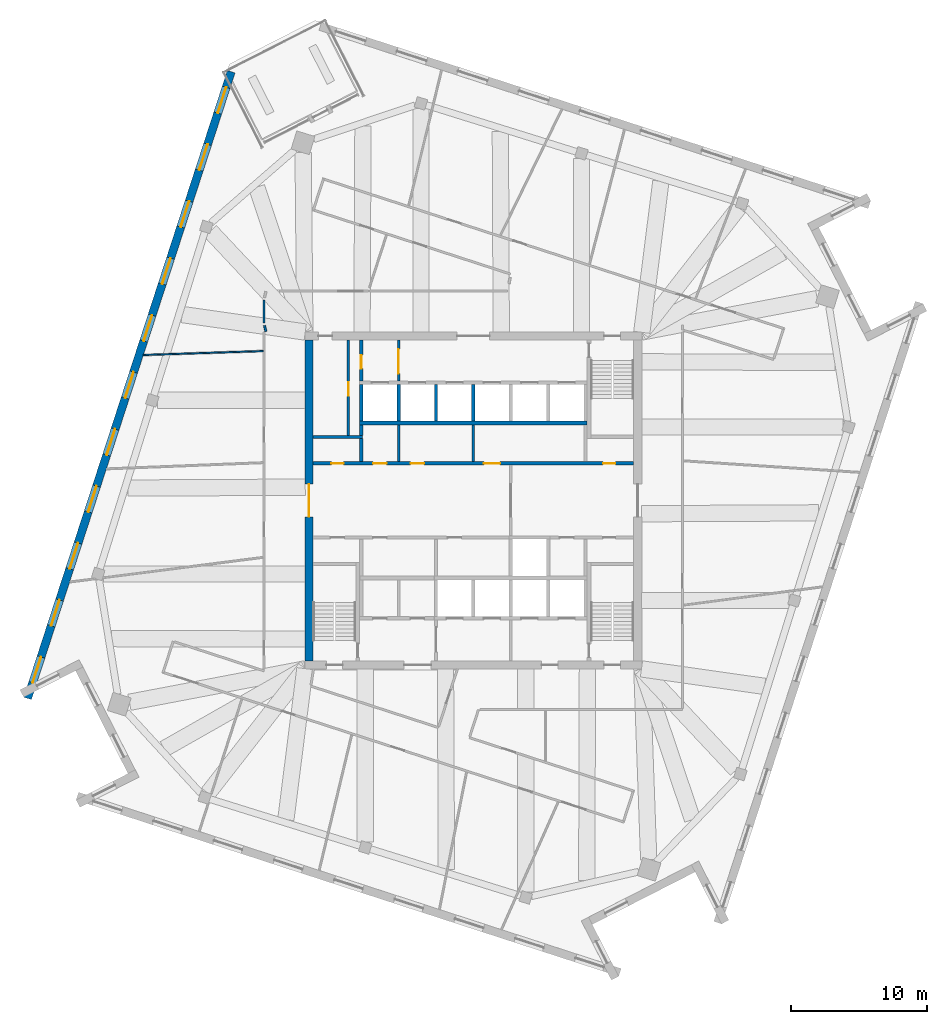
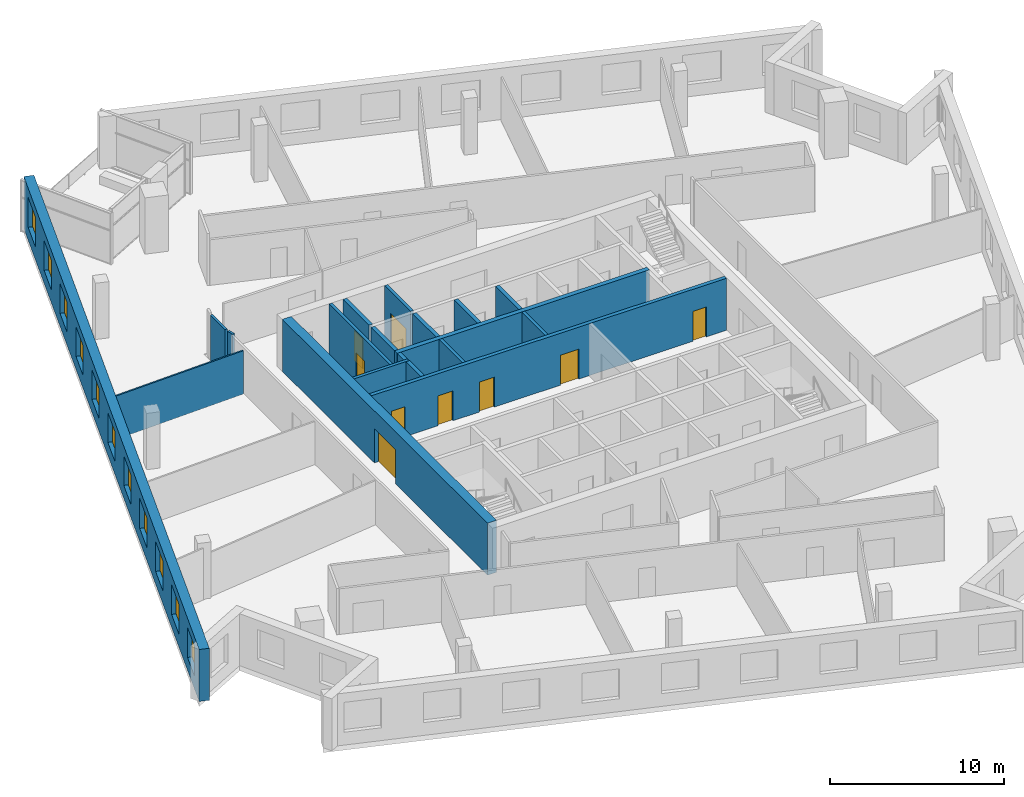
# One storey, part 9 of 13: 19 walls, 11 windows, 9 doors, 20 openings.
"""IFC4 building model written with IfcOpenShell, lengths in metres."""

from ifc_helpers import new_model, si_unit, direction, frame, frame_2d, origin, place, context, subcontext, project, spatial, rectangle, extrude, material, layer, layer_set, type_object, element, fill, save


model = new_model("IFC4")

# Units and contexts
model_context = context("Model", 3, precision=1e-05, world=origin(), true_north=direction((0.0, 1.0)))
body_context = subcontext(model_context, "Body", "Model", "MODEL_VIEW")
ifc_project = project(units=[si_unit("LENGTHUNIT", "METRE"), si_unit("AREAUNIT", "SQUARE_METRE"), si_unit("VOLUMEUNIT", "CUBIC_METRE"), si_unit("PLANEANGLEUNIT", "RADIAN"), si_unit("MASSUNIT", "GRAM", prefix="KILO")], contexts=[model_context])

# Site, building, storey
site_placement = place(None, origin())
site = spatial("IfcSite", under=ifc_project, at=site_placement, CompositionType="ELEMENT")
building_placement = place(site_placement, origin())
building = spatial("IfcBuilding", under=site, at=building_placement, Name="Dilmun Exchange Tower", CompositionType="ELEMENT")
storey_placement = place(building_placement, frame((0.0, 0.0, 316.5)))
storey = spatial("IfcBuildingStorey", under=building, at=storey_placement, Name="L75", CompositionType="ELEMENT", Elevation=316.5)

# Walls
ifc_material_1 = material(Name="Concrete C40/50", Category="concrete")
ifc_layer_1 = layer(ifc_material_1, 0.199951171875)
ifc_layer_set_1 = layer_set([ifc_layer_1], Name="Concrete C40/50")
wall_type_1 = type_object("IfcWallType", Name="Core partition wall 200", PredefinedType="PARTITIONING", material=ifc_layer_set_1)
for number, where, z_axis, x_axis, name in (
    (1, (-5.5, 2.85498046875, 0.0), (0.0, 0.0, 1.0), (0.0, 1.0, 0.0), "L75 core partition wall 15"),
    (2, (0.0, 2.85498046875, 0.0), (0.0, 0.0, 1.0), (0.0, 1.0, 0.0), "L75 core partition wall 16"),
):
    element("IfcWall", number, at=place(storey_placement, frame(where, z_axis=z_axis, x_axis=x_axis)), inside=storey, type_object=wall_type_1, Name=name, PredefinedType="PARTITIONING", context=body_context, shape_type="SweptSolid", body=[
        extrude(rectangle(XDim=2.68994140625, YDim=0.199951171875, at=frame_2d((1.344970703125, 0.0))), origin(), (0.0, 0.0, 1.0), 3.64990234375),
    ])
wall_1_placement = place(storey_placement, frame((-11.794921875, 4.675048828125, 0.0), z_axis=(0.0, 0.0, 1.0), x_axis=(1.0, 0.0, 0.0)))
element("IfcWall", 3, at=wall_1_placement, inside=storey, type_object=wall_type_1, Name="L75 core partition wall 18", PredefinedType="PARTITIONING", context=body_context, shape_type="SweptSolid", body=[
    extrude(rectangle(XDim=3.64501953125, YDim=0.199951171875, at=frame_2d((1.822509765625, 0.0))), origin(), (0.0, 0.0, 1.0), 3.64990234375),
])

# Wall, opening, door
wall_2_placement = place(storey_placement, frame((-9.199951171875, 4.780029296875, 0.0), z_axis=(0.0, 0.0, 1.0), x_axis=(0.0, 1.0, 0.0)))
wall_2 = element("IfcWall", 4, at=wall_2_placement, inside=storey, type_object=wall_type_1, Name="L75 core partition wall 19", PredefinedType="PARTITIONING", context=body_context, shape_type="SweptSolid", body=[
    extrude(rectangle(XDim=7.014892578125, YDim=0.199951171875, at=frame_2d((3.50732421875, 0.0))), origin(), (0.0, 0.0, 1.0), 3.64990234375),
])
opening_1_placement = place(wall_2_placement, frame((2.919921875, 0.0, 0.0)))
opening_1 = element("IfcOpeningElement", 5, at=opening_1_placement, cuts=wall_2, Name="Opening CD4", PredefinedType="OPENING", context=body_context, shape_type="SweptSolid", body=[
    extrude(rectangle(XDim=1.0, YDim=2.10009765625, at=frame_2d((0.5, 1.050048828125))), frame((0.0, 0.10986328125, 0.0), z_axis=(0.0, -1.0, 0.0), x_axis=(1.0, 0.0, 0.0)), (0.0, 0.0, 1.0), 0.219970703125),
])
ifc_material_2 = material(Name="Fire-rated steel door set", Category="steel")
door_type_1 = type_object("IfcDoorType", Name="Core room door 1000x2100", OperationType="SINGLE_SWING_LEFT", PredefinedType="DOOR", material=ifc_material_2)
door_1_placement = place(opening_1_placement, origin())
door_1 = element("IfcDoor", 6, at=door_1_placement, inside=storey, type_object=door_type_1, Name="L75 door Fire safety store", OperationType="SINGLE_SWING_RIGHT", OverallHeight=2.10009765625, OverallWidth=1.0, PredefinedType="DOOR", context=body_context, shape_type="SweptSolid", body=[
    extrude(rectangle(XDim=1.0, YDim=2.10009765625, at=frame_2d((0.5, 1.050048828125))), frame((0.0, 0.02490234375, 0.0), z_axis=(0.0, -1.0, 0.0), x_axis=(1.0, 0.0, 0.0)), (0.0, 0.0, 1.0), 0.050048828125),
])
fill(opening_1, door_1)

wall_3_placement = place(storey_placement, frame((-5.5, 8.804931640625, 0.0), z_axis=(0.0, 0.0, 1.0), x_axis=(0.0, 1.0, 0.0)))
wall_3 = element("IfcWall", 7, at=wall_3_placement, inside=storey, type_object=wall_type_1, Name="L75 core partition wall 22", PredefinedType="PARTITIONING", context=body_context, shape_type="SweptSolid", body=[
    extrude(rectangle(XDim=2.989990234375, YDim=0.199951171875, at=frame_2d((1.4951171875, 0.0))), origin(), (0.0, 0.0, 1.0), 3.64990234375),
])
opening_2_placement = place(wall_3_placement, frame((0.532470703125, 0.0, 0.0)))
opening_2 = element("IfcOpeningElement", 8, at=opening_2_placement, cuts=wall_3, Name="Opening CD5", PredefinedType="OPENING", context=body_context, shape_type="SweptSolid", body=[
    extrude(rectangle(XDim=1.800048828125, YDim=2.10009765625, at=frame_2d((0.89990234375, 1.050048828125))), frame((0.0, 0.10986328125, 0.0), z_axis=(0.0, -1.0, 0.0), x_axis=(1.0, 0.0, 0.0)), (0.0, 0.0, 1.0), 0.219970703125),
])
door_type_2 = type_object("IfcDoorType", Name="Stair exit door 1800x2100", OperationType="SINGLE_SWING_LEFT", PredefinedType="DOOR", material=ifc_material_2)
door_2_placement = place(opening_2_placement, origin())
door_2 = element("IfcDoor", 9, at=door_2_placement, inside=storey, type_object=door_type_2, Name="L75 door Lift lobby east", OperationType="SINGLE_SWING_LEFT", OverallHeight=2.10009765625, OverallWidth=1.800048828125, PredefinedType="DOOR", context=body_context, shape_type="SweptSolid", body=[
    extrude(rectangle(XDim=1.800048828125, YDim=2.10009765625, at=frame_2d((0.89990234375, 1.050048828125))), frame((0.0, 0.02490234375, 0.0), z_axis=(0.0, -1.0, 0.0), x_axis=(1.0, 0.0, 0.0)), (0.0, 0.0, 1.0), 0.050048828125),
])
fill(opening_2, door_2)

# Wall, openings, doors
ifc_layer_2 = layer(ifc_material_1, 0.25)
ifc_layer_set_2 = layer_set([ifc_layer_2], Name="Concrete C40/50")
wall_type_2 = type_object("IfcWallType", Name="Core partition wall 250", PredefinedType="PARTITIONING", material=ifc_layer_set_2)
wall_4_placement = place(storey_placement, frame((-11.794921875, 2.72509765625, 0.0), z_axis=(0.0, 0.0, 1.0), x_axis=(1.0, 0.0, 0.0)))
wall_4 = element("IfcWall", 10, at=wall_4_placement, inside=storey, type_object=wall_type_2, Name="L75 core partition wall 13", PredefinedType="PARTITIONING", context=body_context, shape_type="SweptSolid", body=[
    extrude(rectangle(XDim=23.58984375, YDim=0.25, at=frame_2d((11.794921875, 0.0))), origin(), (0.0, 0.0, 1.0), 3.64990234375),
])
opening_3_placement = place(wall_4_placement, frame((21.344970703125, 0.0, 0.0)))
opening_3 = element("IfcOpeningElement", 11, at=opening_3_placement, cuts=wall_4, Name="Opening CD6", PredefinedType="OPENING", context=body_context, shape_type="SweptSolid", body=[
    extrude(rectangle(XDim=0.89990234375, YDim=2.10009765625, at=frame_2d((0.449951171875, 1.050048828125))), frame((0.0, 0.135009765625, 0.0), z_axis=(0.0, -1.0, 0.0), x_axis=(1.0, 0.0, 0.0)), (0.0, 0.0, 1.0), 0.27001953125),
])
opening_4_placement = place(wall_4_placement, frame((1.344970703125, 0.0, 0.0)))
opening_4 = element("IfcOpeningElement", 12, at=opening_4_placement, cuts=wall_4, Name="Opening CD6", PredefinedType="OPENING", context=body_context, shape_type="SweptSolid", body=[
    extrude(rectangle(XDim=0.89990234375, YDim=2.10009765625, at=frame_2d((0.449951171875, 1.050048828125))), frame((0.0, 0.135009765625, 0.0), z_axis=(0.0, -1.0, 0.0), x_axis=(1.0, 0.0, 0.0)), (0.0, 0.0, 1.0), 0.27001953125),
])
opening_5_placement = place(wall_4_placement, frame((4.419921875, 0.0, 0.0)))
opening_5 = element("IfcOpeningElement", 13, at=opening_5_placement, cuts=wall_4, Name="Opening CD4", PredefinedType="OPENING", context=body_context, shape_type="SweptSolid", body=[
    extrude(rectangle(XDim=1.0, YDim=2.10009765625, at=frame_2d((0.5, 1.050048828125))), frame((0.0, 0.135009765625, 0.0), z_axis=(0.0, -1.0, 0.0), x_axis=(1.0, 0.0, 0.0)), (0.0, 0.0, 1.0), 0.27001953125),
])
opening_6_placement = place(wall_4_placement, frame((7.169921875, 0.0, 0.0)))
opening_6 = element("IfcOpeningElement", 14, at=opening_6_placement, cuts=wall_4, Name="Opening CD4", PredefinedType="OPENING", context=body_context, shape_type="SweptSolid", body=[
    extrude(rectangle(XDim=1.0, YDim=2.10009765625, at=frame_2d((0.5, 1.050048828125))), frame((0.0, 0.135009765625, 0.0), z_axis=(0.0, -1.0, 0.0), x_axis=(1.0, 0.0, 0.0)), (0.0, 0.0, 1.0), 0.27001953125),
])
opening_7_placement = place(wall_4_placement, frame((12.570068359375, 0.0, 0.0)))
opening_7 = element("IfcOpeningElement", 15, at=opening_7_placement, cuts=wall_4, Name="Opening CD3", PredefinedType="OPENING", context=body_context, shape_type="SweptSolid", body=[
    extrude(rectangle(XDim=1.199951171875, YDim=2.10009765625, at=frame_2d((0.60009765625, 1.050048828125))), frame((0.0, 0.135009765625, 0.0), z_axis=(0.0, -1.0, 0.0), x_axis=(1.0, 0.0, 0.0)), (0.0, 0.0, 1.0), 0.27001953125),
])
door_3_placement = place(opening_5_placement, origin())
door_3 = element("IfcDoor", 16, at=door_3_placement, inside=storey, type_object=door_type_1, Name="L75 door Electrical room", OperationType="SINGLE_SWING_RIGHT", OverallHeight=2.10009765625, OverallWidth=1.0, PredefinedType="DOOR", context=body_context, shape_type="SweptSolid", body=[
    extrude(rectangle(XDim=1.0, YDim=2.10009765625, at=frame_2d((0.5, 1.050048828125))), frame((0.0, 0.02490234375, 0.0), z_axis=(0.0, -1.0, 0.0), x_axis=(1.0, 0.0, 0.0)), (0.0, 0.0, 1.0), 0.050048828125),
])
fill(opening_5, door_3)
door_4_placement = place(opening_6_placement, origin())
door_4 = element("IfcDoor", 17, at=door_4_placement, inside=storey, type_object=door_type_1, Name="L75 door Switch room", OperationType="SINGLE_SWING_RIGHT", OverallHeight=2.10009765625, OverallWidth=1.0, PredefinedType="DOOR", context=body_context, shape_type="SweptSolid", body=[
    extrude(rectangle(XDim=1.0, YDim=2.10009765625, at=frame_2d((0.5, 1.050048828125))), frame((0.0, 0.02490234375, 0.0), z_axis=(0.0, -1.0, 0.0), x_axis=(1.0, 0.0, 0.0)), (0.0, 0.0, 1.0), 0.050048828125),
])
fill(opening_6, door_4)
door_type_3 = type_object("IfcDoorType", Name="Core room door 900x2100", OperationType="SINGLE_SWING_LEFT", PredefinedType="DOOR", material=ifc_material_2)
door_5_placement = place(opening_3_placement, origin())
door_5 = element("IfcDoor", 18, at=door_5_placement, inside=storey, type_object=door_type_3, Name="L75 door Electrical riser", OperationType="SINGLE_SWING_RIGHT", OverallHeight=2.10009765625, OverallWidth=0.89990234375, PredefinedType="DOOR", context=body_context, shape_type="SweptSolid", body=[
    extrude(rectangle(XDim=0.89990234375, YDim=2.10009765625, at=frame_2d((0.449951171875, 1.050048828125))), frame((0.0, 0.02490234375, 0.0), z_axis=(0.0, -1.0, 0.0), x_axis=(1.0, 0.0, 0.0)), (0.0, 0.0, 1.0), 0.050048828125),
])
fill(opening_3, door_5)
door_6_placement = place(opening_4_placement, origin())
door_6 = element("IfcDoor", 19, at=door_6_placement, inside=storey, type_object=door_type_3, Name="L75 door Plumbing riser", OperationType="SINGLE_SWING_RIGHT", OverallHeight=2.10009765625, OverallWidth=0.89990234375, PredefinedType="DOOR", context=body_context, shape_type="SweptSolid", body=[
    extrude(rectangle(XDim=0.89990234375, YDim=2.10009765625, at=frame_2d((0.449951171875, 1.050048828125))), frame((0.0, 0.02490234375, 0.0), z_axis=(0.0, -1.0, 0.0), x_axis=(1.0, 0.0, 0.0)), (0.0, 0.0, 1.0), 0.050048828125),
])
fill(opening_4, door_6)
door_type_4 = type_object("IfcDoorType", Name="Stair exit door 1200x2100", OperationType="SINGLE_SWING_LEFT", PredefinedType="DOOR", material=ifc_material_2)
door_7_placement = place(opening_7_placement, origin())
door_7 = element("IfcDoor", 20, at=door_7_placement, inside=storey, type_object=door_type_4, Name="L75 door Quiet working room", OperationType="SINGLE_SWING_LEFT", OverallHeight=2.10009765625, OverallWidth=1.199951171875, PredefinedType="DOOR", context=body_context, shape_type="SweptSolid", body=[
    extrude(rectangle(XDim=1.199951171875, YDim=2.10009765625, at=frame_2d((0.60009765625, 1.050048828125))), frame((0.0, 0.02490234375, 0.0), z_axis=(0.0, -1.0, 0.0), x_axis=(1.0, 0.0, 0.0)), (0.0, 0.0, 1.0), 0.050048828125),
])
fill(opening_7, door_7)

# Walls
wall_5_placement = place(storey_placement, frame((-8.25, 2.85498046875, 0.0), z_axis=(0.0, 0.0, 1.0), x_axis=(0.0, 1.0, 0.0)))
element("IfcWall", 21, at=wall_5_placement, inside=storey, type_object=wall_type_2, Name="L75 core partition wall 14", PredefinedType="PARTITIONING", context=body_context, shape_type="SweptSolid", body=[
    extrude(rectangle(XDim=1.715087890625, YDim=0.25, at=frame_2d((0.857421875, 0.0))), origin(), (0.0, 0.0, 1.0), 3.64990234375),
])
wall_6_placement = place(storey_placement, frame((-8.25, 4.780029296875, 0.0), z_axis=(0.0, 0.0, 1.0), x_axis=(0.0, 1.0, 0.0)))
element("IfcWall", 22, at=wall_6_placement, inside=storey, type_object=wall_type_2, Name="L75 core partition wall 20", PredefinedType="PARTITIONING", context=body_context, shape_type="SweptSolid", body=[
    extrude(rectangle(XDim=0.764892578125, YDim=0.25, at=frame_2d((0.38232421875, 0.0))), origin(), (0.0, 0.0, 1.0), 3.64990234375),
])

# Wall, opening, door
wall_7_placement = place(storey_placement, frame((-8.25, 8.804931640625, 0.0), z_axis=(0.0, 0.0, 1.0), x_axis=(0.0, 1.0, 0.0)))
wall_7 = element("IfcWall", 23, at=wall_7_placement, inside=storey, type_object=wall_type_2, Name="L75 core partition wall 21", PredefinedType="PARTITIONING", context=body_context, shape_type="SweptSolid", body=[
    extrude(rectangle(XDim=2.989990234375, YDim=0.25, at=frame_2d((1.4951171875, 0.0))), origin(), (0.0, 0.0, 1.0), 3.64990234375),
])
opening_8_placement = place(wall_7_placement, frame((0.89501953125, 0.0, 0.0)))
opening_8 = element("IfcOpeningElement", 24, at=opening_8_placement, cuts=wall_7, Name="Opening CD4", PredefinedType="OPENING", context=body_context, shape_type="SweptSolid", body=[
    extrude(rectangle(XDim=1.0, YDim=2.10009765625, at=frame_2d((0.5, 1.050048828125))), frame((0.0, 0.135009765625, 0.0), z_axis=(0.0, -1.0, 0.0), x_axis=(1.0, 0.0, 0.0)), (0.0, 0.0, 1.0), 0.27001953125),
])
door_8_placement = place(opening_8_placement, origin())
door_8 = element("IfcDoor", 25, at=door_8_placement, inside=storey, type_object=door_type_1, Name="L75 door Tenant services room", OperationType="SINGLE_SWING_RIGHT", OverallHeight=2.10009765625, OverallWidth=1.0, PredefinedType="DOOR", context=body_context, shape_type="SweptSolid", body=[
    extrude(rectangle(XDim=1.0, YDim=2.10009765625, at=frame_2d((0.5, 1.050048828125))), frame((0.0, 0.02490234375, 0.0), z_axis=(0.0, -1.0, 0.0), x_axis=(1.0, 0.0, 0.0)), (0.0, 0.0, 1.0), 0.050048828125),
])
fill(opening_8, door_8)

ifc_material_3 = material(Name="Concrete C50/60", Category="concrete")
ifc_layer_3 = layer(ifc_material_3, 0.60009765625)
ifc_layer_set_3 = layer_set([ifc_layer_3], Name="Concrete C50/60")
wall_type_3 = type_object("IfcWallType", Name="Core shear wall 600 Concrete C50/60", PredefinedType="SHEAR", material=ifc_layer_set_3)
wall_8_placement = place(storey_placement, frame((-12.10009765625, -11.800048828125, 0.0), z_axis=(0.0, 0.0, 1.0), x_axis=(0.0, 1.0, 0.0)))
wall_8 = element("IfcWall", 26, at=wall_8_placement, inside=storey, type_object=wall_type_3, Name="L75 core shear wall W", PredefinedType="SHEAR", context=body_context, shape_type="SweptSolid", body=[
    extrude(rectangle(XDim=23.60009765625, YDim=0.60009765625, at=frame_2d((11.800048828125, 0.0))), origin(), (0.0, 0.0, 1.0), 3.64990234375),
])
opening_9_placement = place(wall_8_placement, frame((10.60009765625, 0.0, 0.0)))
opening_9 = element("IfcOpeningElement", 27, at=opening_9_placement, cuts=wall_8, Name="Opening CD1", PredefinedType="OPENING", context=body_context, shape_type="SweptSolid", body=[
    extrude(rectangle(XDim=2.39990234375, YDim=2.39990234375, at=frame_2d((1.199951171875, 1.199951171875))), frame((0.0, 0.31005859375, 0.0), z_axis=(0.0, -1.0, 0.0), x_axis=(1.0, 0.0, 0.0)), (0.0, 0.0, 1.0), 0.6201171875),
])
door_type_5 = type_object("IfcDoorType", Name="Core lobby door 2400x2400", OperationType="DOUBLE_DOOR_DOUBLE_SWING", PredefinedType="DOOR", material=ifc_material_2)
door_9_placement = place(opening_9_placement, origin())
door_9 = element("IfcDoor", 28, at=door_9_placement, inside=storey, type_object=door_type_5, Name="L75 door Central lift lobby", OperationType="SINGLE_SWING_LEFT", OverallHeight=2.39990234375, OverallWidth=2.39990234375, PredefinedType="DOOR", context=body_context, shape_type="SweptSolid", body=[
    extrude(rectangle(XDim=2.39990234375, YDim=2.39990234375, at=frame_2d((1.199951171875, 1.199951171875))), frame((0.0, 0.02490234375, 0.0), z_axis=(0.0, -1.0, 0.0), x_axis=(1.0, 0.0, 0.0)), (0.0, 0.0, 1.0), 0.050048828125),
])
fill(opening_9, door_9)

# Walls
ifc_material_4 = material(Name="Corridor wall 150")
ifc_layer_4 = layer(ifc_material_4, 0.14990234375)
ifc_layer_set_4 = layer_set([ifc_layer_4], Name="Corridor wall 150")
wall_type_4 = type_object("IfcWallType", Name="Corridor wall 150", PredefinedType="PARTITIONING", material=ifc_layer_set_4)
wall_9_placement = place(storey_placement, frame((-15.39990234375, 13.050048828125, 0.0), z_axis=(0.0, 0.0, 1.0), x_axis=(0.0, 1.0, 0.0)))
element("IfcWall", 29, at=wall_9_placement, inside=storey, type_object=wall_type_4, Name="Corridor wall", PredefinedType="PARTITIONING", context=body_context, shape_type="SweptSolid", body=[
    extrude(rectangle(XDim=1.699951171875, YDim=0.14990234375, at=frame_2d((0.85009765625, 0.0))), origin(), (0.0, 0.0, 1.0), 3.25),
])
wall_10_placement = place(storey_placement, frame((-15.263427734375, 12.440185546875, 0.0), z_axis=(0.0, 0.0, 1.0), x_axis=(-0.249928977064, 0.968264171817, 0.0)))
element("IfcWall", 30, at=wall_10_placement, inside=storey, type_object=wall_type_4, Name="Corridor wall", PredefinedType="PARTITIONING", context=body_context, shape_type="SweptSolid", body=[
    extrude(rectangle(XDim=0.434814453125, YDim=0.14990234375, at=frame_2d((0.21728515625, 0.0))), origin(), (0.0, 0.0, 1.0), 3.25),
])
ifc_layer_5 = layer(ifc_material_1, 0.300048828125)
ifc_layer_set_5 = layer_set([ifc_layer_5], Name="Concrete C40/50")
wall_type_5 = type_object("IfcWallType", Name="Lift shaft shared wall 300", PredefinedType="SOLIDWALL", material=ifc_layer_set_5)
wall_11_placement = place(storey_placement, frame((-8.375, 5.699951171875, 0.0), z_axis=(0.0, 0.0, 1.0), x_axis=(1.0, 0.0, 0.0)))
element("IfcWall", 31, at=wall_11_placement, inside=storey, type_object=wall_type_5, Name="L75 lift shaft rear wall N", PredefinedType="SOLIDWALL", context=body_context, shape_type="SweptSolid", body=[
    extrude(rectangle(XDim=16.75, YDim=0.300048828125, at=frame_2d((8.375, 0.0))), origin(), (0.0, 0.0, 1.0), 3.64990234375),
])
ifc_layer_6 = layer(ifc_material_1, 0.25)
ifc_layer_set_6 = layer_set([ifc_layer_6], Name="Concrete C40/50")
wall_type_6 = type_object("IfcWallType", Name="Lift shaft wall 250", PredefinedType="SOLIDWALL", material=ifc_layer_set_6)
for number, where, z_axis, x_axis, name in (
    (32, (-8.25, 5.85009765625, 0.0), (0.0, 0.0, 1.0), (0.0, 1.0, 0.0), "L75 lift shaft divider N20"),
    (33, (-5.5, 5.85009765625, 0.0), (0.0, 0.0, 1.0), (0.0, 1.0, 0.0), "L75 lift shaft divider N21"),
    (34, (-2.75, 5.85009765625, 0.0), (0.0, 0.0, 1.0), (0.0, 1.0, 0.0), "L75 lift shaft divider N22"),
    (35, (0.0, 5.85009765625, 0.0), (0.0, 0.0, 1.0), (0.0, 1.0, 0.0), "L75 lift shaft divider N23"),
):
    element("IfcWall", number, at=place(storey_placement, frame(where, z_axis=z_axis, x_axis=x_axis)), inside=storey, type_object=wall_type_6, Name=name, PredefinedType="SOLIDWALL", context=body_context, shape_type="SweptSolid", body=[
        extrude(rectangle(XDim=2.699951171875, YDim=0.25, at=frame_2d((1.35009765625, 0.0))), origin(), (0.0, 0.0, 1.0), 3.64990234375),
    ])
ifc_material_5 = material(Name="Partition 100")
ifc_layer_7 = layer(ifc_material_5, 0.10009765625)
ifc_layer_set_7 = layer_set([ifc_layer_7], Name="Partition 100")
wall_type_7 = type_object("IfcWallType", Name="Partition 100", PredefinedType="PARTITIONING", material=ifc_layer_set_7)
wall_12_placement = place(storey_placement, frame((-24.27880859375, 10.703125, 0.0), z_axis=(0.0, 0.0, 1.0), x_axis=(0.999452969423, 0.033072071465, 0.0)))
element("IfcWall", 36, at=wall_12_placement, inside=storey, type_object=wall_type_7, Name="Partition", PredefinedType="PARTITIONING", context=body_context, shape_type="SweptSolid", body=[
    extrude(rectangle(XDim=8.806884765625, YDim=0.10009765625, at=frame_2d((4.4033203125, 0.0))), origin(), (0.0, 0.0, 1.0), 3.050048828125),
])

# Wall, openings, windows
ifc_material_6 = material(Name="Precast concrete C50/60", Category="concrete")
ifc_layer_8 = layer(ifc_material_6, 0.60009765625)
ifc_layer_set_8 = layer_set([ifc_layer_8], Name="Precast concrete C50/60")
wall_type_8 = type_object("IfcWallType", Name="Precast stone-clad wall 600", PredefinedType="STANDARD", material=ifc_layer_set_8)
wall_13_placement = place(storey_placement, frame((-17.822265625, 31.551513671875, 0.0), z_axis=(0.0, 0.0, 1.0), x_axis=(-0.309018218247, -0.951056118634, 0.0)))
wall_13 = element("IfcWall", 37, at=wall_13_placement, inside=storey, type_object=wall_type_8, Name="Facade wall L75-03", PredefinedType="STANDARD", context=body_context, shape_type="SweptSolid", body=[
    extrude(rectangle(XDim=48.489501953125, YDim=0.60009765625, at=frame_2d((24.24462890625, 0.0))), origin(), (0.0, 0.0, 1.0), 3.64990234375),
])
opening_10_placement = place(wall_13_placement, frame((1.2041015625, 0.0, 0.89990234375)))
opening_10 = element("IfcOpeningElement", 38, at=opening_10_placement, cuts=wall_13, Name="Opening W200-210", PredefinedType="OPENING", context=body_context, shape_type="SweptSolid", body=[
    extrude(rectangle(XDim=2.0, YDim=2.10009765625, at=frame_2d((1.0, 1.050048828125))), frame((0.0, 0.31005859375, 0.0), z_axis=(0.0, -1.0, 0.0), x_axis=(1.0, 0.0, 0.0)), (0.0, 0.0, 1.0), 0.6201171875),
])
opening_11_placement = place(wall_13_placement, frame((5.6123046875, 0.0, 0.89990234375)))
opening_11 = element("IfcOpeningElement", 39, at=opening_11_placement, cuts=wall_13, Name="Opening W200-210", PredefinedType="OPENING", context=body_context, shape_type="SweptSolid", body=[
    extrude(rectangle(XDim=2.0, YDim=2.10009765625, at=frame_2d((1.0, 1.050048828125))), frame((0.0, 0.31005859375, 0.0), z_axis=(0.0, -1.0, 0.0), x_axis=(1.0, 0.0, 0.0)), (0.0, 0.0, 1.0), 0.6201171875),
])
opening_12_placement = place(wall_13_placement, frame((10.0205078125, 0.0, 0.89990234375)))
opening_12 = element("IfcOpeningElement", 40, at=opening_12_placement, cuts=wall_13, Name="Opening W200-210", PredefinedType="OPENING", context=body_context, shape_type="SweptSolid", body=[
    extrude(rectangle(XDim=2.0, YDim=2.10009765625, at=frame_2d((1.0, 1.050048828125))), frame((0.0, 0.31005859375, 0.0), z_axis=(0.0, -1.0, 0.0), x_axis=(1.0, 0.0, 0.0)), (0.0, 0.0, 1.0), 0.6201171875),
])
opening_13_placement = place(wall_13_placement, frame((14.428466796875, 0.0, 0.89990234375)))
opening_13 = element("IfcOpeningElement", 41, at=opening_13_placement, cuts=wall_13, Name="Opening W200-210", PredefinedType="OPENING", context=body_context, shape_type="SweptSolid", body=[
    extrude(rectangle(XDim=2.0, YDim=2.10009765625, at=frame_2d((1.0, 1.050048828125))), frame((0.0, 0.31005859375, 0.0), z_axis=(0.0, -1.0, 0.0), x_axis=(1.0, 0.0, 0.0)), (0.0, 0.0, 1.0), 0.6201171875),
])
opening_14_placement = place(wall_13_placement, frame((18.836669921875, 0.0, 0.89990234375)))
opening_14 = element("IfcOpeningElement", 42, at=opening_14_placement, cuts=wall_13, Name="Opening W200-210", PredefinedType="OPENING", context=body_context, shape_type="SweptSolid", body=[
    extrude(rectangle(XDim=2.0, YDim=2.10009765625, at=frame_2d((1.0, 1.050048828125))), frame((0.0, 0.31005859375, 0.0), z_axis=(0.0, -1.0, 0.0), x_axis=(1.0, 0.0, 0.0)), (0.0, 0.0, 1.0), 0.6201171875),
])
opening_15_placement = place(wall_13_placement, frame((23.244873046875, 0.0, 0.89990234375)))
opening_15 = element("IfcOpeningElement", 43, at=opening_15_placement, cuts=wall_13, Name="Opening W200-210", PredefinedType="OPENING", context=body_context, shape_type="SweptSolid", body=[
    extrude(rectangle(XDim=2.0, YDim=2.10009765625, at=frame_2d((1.0, 1.050048828125))), frame((0.0, 0.31005859375, 0.0), z_axis=(0.0, -1.0, 0.0), x_axis=(1.0, 0.0, 0.0)), (0.0, 0.0, 1.0), 0.6201171875),
])
opening_16_placement = place(wall_13_placement, frame((27.65283203125, 0.0, 0.89990234375)))
opening_16 = element("IfcOpeningElement", 44, at=opening_16_placement, cuts=wall_13, Name="Opening W200-210", PredefinedType="OPENING", context=body_context, shape_type="SweptSolid", body=[
    extrude(rectangle(XDim=2.0, YDim=2.10009765625, at=frame_2d((1.0, 1.050048828125))), frame((0.0, 0.31005859375, 0.0), z_axis=(0.0, -1.0, 0.0), x_axis=(1.0, 0.0, 0.0)), (0.0, 0.0, 1.0), 0.6201171875),
])
opening_17_placement = place(wall_13_placement, frame((32.06103515625, 0.0, 0.89990234375)))
opening_17 = element("IfcOpeningElement", 45, at=opening_17_placement, cuts=wall_13, Name="Opening W200-210", PredefinedType="OPENING", context=body_context, shape_type="SweptSolid", body=[
    extrude(rectangle(XDim=2.0, YDim=2.10009765625, at=frame_2d((1.0, 1.050048828125))), frame((0.0, 0.31005859375, 0.0), z_axis=(0.0, -1.0, 0.0), x_axis=(1.0, 0.0, 0.0)), (0.0, 0.0, 1.0), 0.6201171875),
])
opening_18_placement = place(wall_13_placement, frame((36.46923828125, 0.0, 0.89990234375)))
opening_18 = element("IfcOpeningElement", 46, at=opening_18_placement, cuts=wall_13, Name="Opening W200-210", PredefinedType="OPENING", context=body_context, shape_type="SweptSolid", body=[
    extrude(rectangle(XDim=2.0, YDim=2.10009765625, at=frame_2d((1.0, 1.050048828125))), frame((0.0, 0.31005859375, 0.0), z_axis=(0.0, -1.0, 0.0), x_axis=(1.0, 0.0, 0.0)), (0.0, 0.0, 1.0), 0.6201171875),
])
opening_19_placement = place(wall_13_placement, frame((40.87744140625, 0.0, 0.89990234375)))
opening_19 = element("IfcOpeningElement", 47, at=opening_19_placement, cuts=wall_13, Name="Opening W200-210", PredefinedType="OPENING", context=body_context, shape_type="SweptSolid", body=[
    extrude(rectangle(XDim=2.0, YDim=2.10009765625, at=frame_2d((1.0, 1.050048828125))), frame((0.0, 0.31005859375, 0.0), z_axis=(0.0, -1.0, 0.0), x_axis=(1.0, 0.0, 0.0)), (0.0, 0.0, 1.0), 0.6201171875),
])
opening_20_placement = place(wall_13_placement, frame((45.285400390625, 0.0, 0.89990234375)))
opening_20 = element("IfcOpeningElement", 48, at=opening_20_placement, cuts=wall_13, Name="Opening W200-210", PredefinedType="OPENING", context=body_context, shape_type="SweptSolid", body=[
    extrude(rectangle(XDim=2.0, YDim=2.10009765625, at=frame_2d((1.0, 1.050048828125))), frame((0.0, 0.31005859375, 0.0), z_axis=(0.0, -1.0, 0.0), x_axis=(1.0, 0.0, 0.0)), (0.0, 0.0, 1.0), 0.6201171875),
])
ifc_material_7 = material(Name="Clear low-emissivity glass in aluminium frame", Category="aluminium")
window_type = type_object("IfcWindowType", Name="Punched window 2000 x 2100", PartitioningType="DOUBLE_PANEL_VERTICAL", PredefinedType="WINDOW", material=ifc_material_7)
window_1_placement = place(opening_10_placement, origin())
window_1 = element("IfcWindow", 49, at=window_1_placement, inside=storey, type_object=window_type, Name="Window 4.1", OverallHeight=2.10009765625, OverallWidth=2.0, PartitioningType="SINGLE_PANEL", PredefinedType="WINDOW", context=body_context, shape_type="SweptSolid", body=[
    extrude(rectangle(XDim=2.0, YDim=2.10009765625, at=frame_2d((1.0, 1.050048828125))), frame((0.0, 0.030029296875, 0.0), z_axis=(0.0, -1.0, 0.0), x_axis=(1.0, 0.0, 0.0)), (0.0, 0.0, 1.0), 0.06005859375),
])
fill(opening_10, window_1)
window_2_placement = place(opening_11_placement, origin())
window_2 = element("IfcWindow", 50, at=window_2_placement, inside=storey, type_object=window_type, Name="Window 4.2", OverallHeight=2.10009765625, OverallWidth=2.0, PartitioningType="SINGLE_PANEL", PredefinedType="WINDOW", context=body_context, shape_type="SweptSolid", body=[
    extrude(rectangle(XDim=2.0, YDim=2.10009765625, at=frame_2d((1.0, 1.050048828125))), frame((0.0, 0.030029296875, 0.0), z_axis=(0.0, -1.0, 0.0), x_axis=(1.0, 0.0, 0.0)), (0.0, 0.0, 1.0), 0.06005859375),
])
fill(opening_11, window_2)
window_3_placement = place(opening_12_placement, origin())
window_3 = element("IfcWindow", 51, at=window_3_placement, inside=storey, type_object=window_type, Name="Window 4.3", OverallHeight=2.10009765625, OverallWidth=2.0, PartitioningType="SINGLE_PANEL", PredefinedType="WINDOW", context=body_context, shape_type="SweptSolid", body=[
    extrude(rectangle(XDim=2.0, YDim=2.10009765625, at=frame_2d((1.0, 1.050048828125))), frame((0.0, 0.030029296875, 0.0), z_axis=(0.0, -1.0, 0.0), x_axis=(1.0, 0.0, 0.0)), (0.0, 0.0, 1.0), 0.06005859375),
])
fill(opening_12, window_3)
window_4_placement = place(opening_13_placement, origin())
window_4 = element("IfcWindow", 52, at=window_4_placement, inside=storey, type_object=window_type, Name="Window 4.4", OverallHeight=2.10009765625, OverallWidth=2.0, PartitioningType="SINGLE_PANEL", PredefinedType="WINDOW", context=body_context, shape_type="SweptSolid", body=[
    extrude(rectangle(XDim=2.0, YDim=2.10009765625, at=frame_2d((1.0, 1.050048828125))), frame((0.0, 0.030029296875, 0.0), z_axis=(0.0, -1.0, 0.0), x_axis=(1.0, 0.0, 0.0)), (0.0, 0.0, 1.0), 0.06005859375),
])
fill(opening_13, window_4)
window_5_placement = place(opening_14_placement, origin())
window_5 = element("IfcWindow", 53, at=window_5_placement, inside=storey, type_object=window_type, Name="Window 4.5", OverallHeight=2.10009765625, OverallWidth=2.0, PartitioningType="SINGLE_PANEL", PredefinedType="WINDOW", context=body_context, shape_type="SweptSolid", body=[
    extrude(rectangle(XDim=2.0, YDim=2.10009765625, at=frame_2d((1.0, 1.050048828125))), frame((0.0, 0.030029296875, 0.0), z_axis=(0.0, -1.0, 0.0), x_axis=(1.0, 0.0, 0.0)), (0.0, 0.0, 1.0), 0.06005859375),
])
fill(opening_14, window_5)
window_6_placement = place(opening_15_placement, origin())
window_6 = element("IfcWindow", 54, at=window_6_placement, inside=storey, type_object=window_type, Name="Window 4.6", OverallHeight=2.10009765625, OverallWidth=2.0, PartitioningType="SINGLE_PANEL", PredefinedType="WINDOW", context=body_context, shape_type="SweptSolid", body=[
    extrude(rectangle(XDim=2.0, YDim=2.10009765625, at=frame_2d((1.0, 1.050048828125))), frame((0.0, 0.030029296875, 0.0), z_axis=(0.0, -1.0, 0.0), x_axis=(1.0, 0.0, 0.0)), (0.0, 0.0, 1.0), 0.06005859375),
])
fill(opening_15, window_6)
window_7_placement = place(opening_16_placement, origin())
window_7 = element("IfcWindow", 55, at=window_7_placement, inside=storey, type_object=window_type, Name="Window 4.7", OverallHeight=2.10009765625, OverallWidth=2.0, PartitioningType="SINGLE_PANEL", PredefinedType="WINDOW", context=body_context, shape_type="SweptSolid", body=[
    extrude(rectangle(XDim=2.0, YDim=2.10009765625, at=frame_2d((1.0, 1.050048828125))), frame((0.0, 0.030029296875, 0.0), z_axis=(0.0, -1.0, 0.0), x_axis=(1.0, 0.0, 0.0)), (0.0, 0.0, 1.0), 0.06005859375),
])
fill(opening_16, window_7)
window_8_placement = place(opening_17_placement, origin())
window_8 = element("IfcWindow", 56, at=window_8_placement, inside=storey, type_object=window_type, Name="Window 4.8", OverallHeight=2.10009765625, OverallWidth=2.0, PartitioningType="SINGLE_PANEL", PredefinedType="WINDOW", context=body_context, shape_type="SweptSolid", body=[
    extrude(rectangle(XDim=2.0, YDim=2.10009765625, at=frame_2d((1.0, 1.050048828125))), frame((0.0, 0.030029296875, 0.0), z_axis=(0.0, -1.0, 0.0), x_axis=(1.0, 0.0, 0.0)), (0.0, 0.0, 1.0), 0.06005859375),
])
fill(opening_17, window_8)
window_9_placement = place(opening_18_placement, origin())
window_9 = element("IfcWindow", 57, at=window_9_placement, inside=storey, type_object=window_type, Name="Window 4.9", OverallHeight=2.10009765625, OverallWidth=2.0, PartitioningType="SINGLE_PANEL", PredefinedType="WINDOW", context=body_context, shape_type="SweptSolid", body=[
    extrude(rectangle(XDim=2.0, YDim=2.10009765625, at=frame_2d((1.0, 1.050048828125))), frame((0.0, 0.030029296875, 0.0), z_axis=(0.0, -1.0, 0.0), x_axis=(1.0, 0.0, 0.0)), (0.0, 0.0, 1.0), 0.06005859375),
])
fill(opening_18, window_9)
window_10_placement = place(opening_19_placement, origin())
window_10 = element("IfcWindow", 58, at=window_10_placement, inside=storey, type_object=window_type, Name="Window 4.10", OverallHeight=2.10009765625, OverallWidth=2.0, PartitioningType="SINGLE_PANEL", PredefinedType="WINDOW", context=body_context, shape_type="SweptSolid", body=[
    extrude(rectangle(XDim=2.0, YDim=2.10009765625, at=frame_2d((1.0, 1.050048828125))), frame((0.0, 0.030029296875, 0.0), z_axis=(0.0, -1.0, 0.0), x_axis=(1.0, 0.0, 0.0)), (0.0, 0.0, 1.0), 0.06005859375),
])
fill(opening_19, window_10)
window_11_placement = place(opening_20_placement, origin())
window_11 = element("IfcWindow", 59, at=window_11_placement, inside=storey, type_object=window_type, Name="Window 4.11", OverallHeight=2.10009765625, OverallWidth=2.0, PartitioningType="SINGLE_PANEL", PredefinedType="WINDOW", context=body_context, shape_type="SweptSolid", body=[
    extrude(rectangle(XDim=2.0, YDim=2.10009765625, at=frame_2d((1.0, 1.050048828125))), frame((0.0, 0.030029296875, 0.0), z_axis=(0.0, -1.0, 0.0), x_axis=(1.0, 0.0, 0.0)), (0.0, 0.0, 1.0), 0.06005859375),
])
fill(opening_20, window_11)

save(model, "model.ifc")
